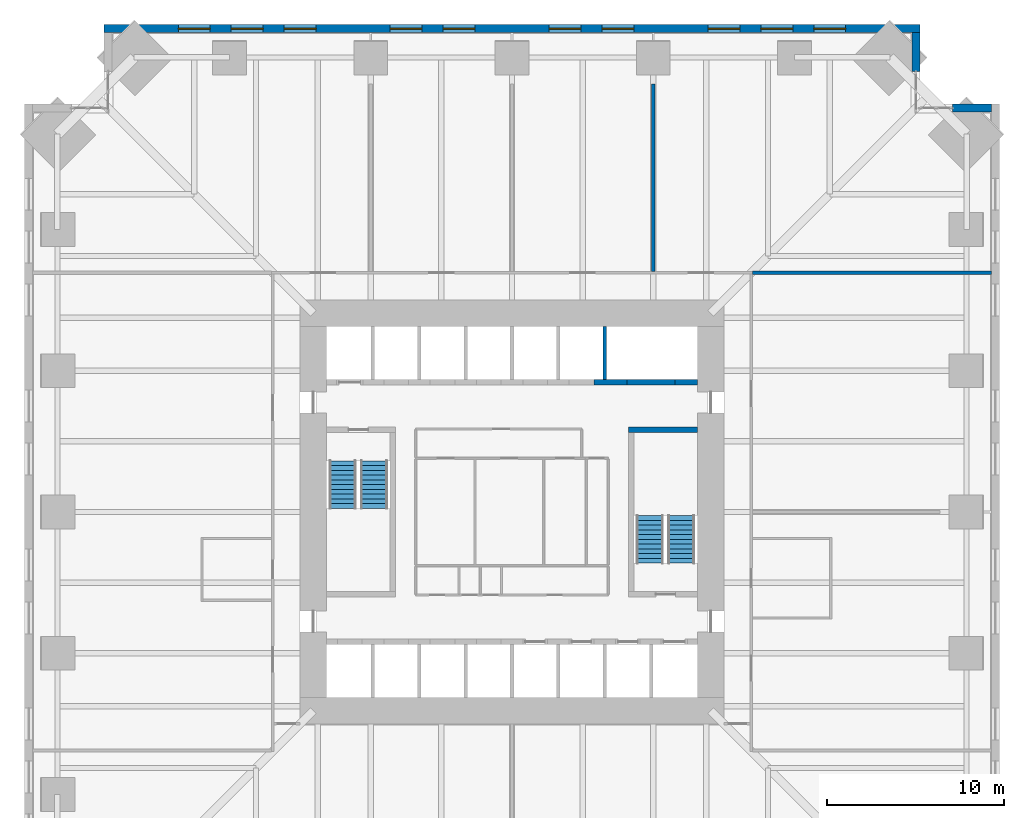
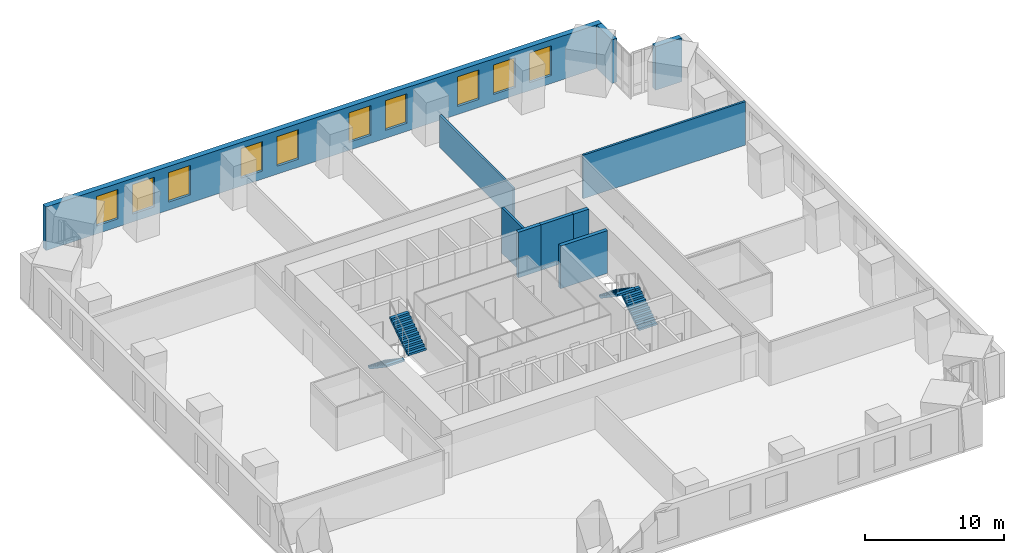
# One storey, part 15 of 16: 10 walls, 10 windows, 4 stair flights, 10 openings, 2 elements without a shape of their own.
"""IFC4 building model written with IfcOpenShell, lengths in metres."""

from ifc_helpers import new_model, si_unit, direction, frame, frame_2d, origin, place, context, subcontext, project, spatial, polyline, rectangle, outline, extrude, material, layer, layer_set, type_object, element, fill, aggregate, save


model = new_model("IFC4")

# Units and contexts
model_context = context("Model", 3, precision=1e-05, world=origin(), true_north=direction((0.0, 1.0)))
body_context = subcontext(model_context, "Body", "Model", "MODEL_VIEW")
ifc_project = project(units=[si_unit("LENGTHUNIT", "METRE"), si_unit("AREAUNIT", "SQUARE_METRE"), si_unit("VOLUMEUNIT", "CUBIC_METRE"), si_unit("PLANEANGLEUNIT", "RADIAN"), si_unit("MASSUNIT", "GRAM", prefix="KILO")], contexts=[model_context])

# Site, building, storey
site_placement = place(None, origin())
site = spatial("IfcSite", under=ifc_project, at=site_placement, CompositionType="ELEMENT")
building_placement = place(site_placement, origin())
building = spatial("IfcBuilding", under=site, at=building_placement, Name="Peilmerk Tower", CompositionType="ELEMENT")
storey_placement = place(building_placement, frame((0.0, 0.0, 127.800048828125)))
storey = spatial("IfcBuildingStorey", under=building, at=storey_placement, Name="L25", CompositionType="ELEMENT", Elevation=127.800048828125)

# Wall, openings, windows
ifc_material_1 = material(Name="Precast concrete C45/55, board-marked finish", Category="concrete")
ifc_layer_1 = layer(ifc_material_1, 0.449951171875)
ifc_layer_set_1 = layer_set([ifc_layer_1], Name="Precast concrete C45/55, board-marked finish")
wall_type_1 = type_object("IfcWallType", Name="EW1 450 precast concrete facade wall, board-marked", PredefinedType="SOLIDWALL", material=ifc_layer_set_1)
wall_1_placement = place(storey_placement, frame((23.10009765625, 27.375, 0.0), z_axis=(0.0, 0.0, 1.0), x_axis=(-1.0, 0.0, 0.0)))
wall_1 = element("IfcWall", 1, at=wall_1_placement, inside=storey, type_object=wall_type_1, Name="Facade wall N L25", PredefinedType="SOLIDWALL", context=body_context, shape_type="SweptSolid", body=[
    extrude(rectangle(XDim=46.2001953125, YDim=0.449951171875, at=frame_2d((23.10009765625, 0.0))), origin(), (0.0, 0.0, 1.0), 3.829833984375),
])
opening_1_placement = place(wall_1_placement, frame((4.199951171875, 0.0, 0.699951171875)))
opening_1 = element("IfcOpeningElement", 2, at=opening_1_placement, cuts=wall_1, Name="Opening W1", PredefinedType="OPENING", context=body_context, shape_type="SweptSolid", body=[
    extrude(rectangle(XDim=1.800048828125, YDim=2.60009765625, at=frame_2d((0.89990234375, 1.300048828125))), frame((0.0, 0.23486328125, 0.0), z_axis=(0.0, -1.0, 0.0), x_axis=(1.0, 0.0, 0.0)), (0.0, 0.0, 1.0), 0.469970703125),
])
opening_2_placement = place(wall_1_placement, frame((7.199951171875, 0.0, 0.699951171875)))
opening_2 = element("IfcOpeningElement", 3, at=opening_2_placement, cuts=wall_1, Name="Opening W1", PredefinedType="OPENING", context=body_context, shape_type="SweptSolid", body=[
    extrude(rectangle(XDim=1.800048828125, YDim=2.60009765625, at=frame_2d((0.89990234375, 1.300048828125))), frame((0.0, 0.23486328125, 0.0), z_axis=(0.0, -1.0, 0.0), x_axis=(1.0, 0.0, 0.0)), (0.0, 0.0, 1.0), 0.469970703125),
])
opening_3_placement = place(wall_1_placement, frame((10.199951171875, 0.0, 0.699951171875)))
opening_3 = element("IfcOpeningElement", 4, at=opening_3_placement, cuts=wall_1, Name="Opening W1", PredefinedType="OPENING", context=body_context, shape_type="SweptSolid", body=[
    extrude(rectangle(XDim=1.800048828125, YDim=2.60009765625, at=frame_2d((0.89990234375, 1.300048828125))), frame((0.0, 0.23486328125, 0.0), z_axis=(0.0, -1.0, 0.0), x_axis=(1.0, 0.0, 0.0)), (0.0, 0.0, 1.0), 0.469970703125),
])
opening_4_placement = place(wall_1_placement, frame((16.199951171875, 0.0, 0.699951171875)))
opening_4 = element("IfcOpeningElement", 5, at=opening_4_placement, cuts=wall_1, Name="Opening W1", PredefinedType="OPENING", context=body_context, shape_type="SweptSolid", body=[
    extrude(rectangle(XDim=1.800048828125, YDim=2.60009765625, at=frame_2d((0.89990234375, 1.300048828125))), frame((0.0, 0.23486328125, 0.0), z_axis=(0.0, -1.0, 0.0), x_axis=(1.0, 0.0, 0.0)), (0.0, 0.0, 1.0), 0.469970703125),
])
opening_5_placement = place(wall_1_placement, frame((19.199951171875, 0.0, 0.699951171875)))
opening_5 = element("IfcOpeningElement", 6, at=opening_5_placement, cuts=wall_1, Name="Opening W1", PredefinedType="OPENING", context=body_context, shape_type="SweptSolid", body=[
    extrude(rectangle(XDim=1.800048828125, YDim=2.60009765625, at=frame_2d((0.89990234375, 1.300048828125))), frame((0.0, 0.23486328125, 0.0), z_axis=(0.0, -1.0, 0.0), x_axis=(1.0, 0.0, 0.0)), (0.0, 0.0, 1.0), 0.469970703125),
])
opening_6_placement = place(wall_1_placement, frame((25.199951171875, 0.0, 0.699951171875)))
opening_6 = element("IfcOpeningElement", 7, at=opening_6_placement, cuts=wall_1, Name="Opening W1", PredefinedType="OPENING", context=body_context, shape_type="SweptSolid", body=[
    extrude(rectangle(XDim=1.800048828125, YDim=2.60009765625, at=frame_2d((0.89990234375, 1.300048828125))), frame((0.0, 0.23486328125, 0.0), z_axis=(0.0, -1.0, 0.0), x_axis=(1.0, 0.0, 0.0)), (0.0, 0.0, 1.0), 0.469970703125),
])
opening_7_placement = place(wall_1_placement, frame((28.199951171875, 0.0, 0.699951171875)))
opening_7 = element("IfcOpeningElement", 8, at=opening_7_placement, cuts=wall_1, Name="Opening W1", PredefinedType="OPENING", context=body_context, shape_type="SweptSolid", body=[
    extrude(rectangle(XDim=1.800048828125, YDim=2.60009765625, at=frame_2d((0.89990234375, 1.300048828125))), frame((0.0, 0.23486328125, 0.0), z_axis=(0.0, -1.0, 0.0), x_axis=(1.0, 0.0, 0.0)), (0.0, 0.0, 1.0), 0.469970703125),
])
opening_8_placement = place(wall_1_placement, frame((34.199951171875, 0.0, 0.699951171875)))
opening_8 = element("IfcOpeningElement", 9, at=opening_8_placement, cuts=wall_1, Name="Opening W1", PredefinedType="OPENING", context=body_context, shape_type="SweptSolid", body=[
    extrude(rectangle(XDim=1.800048828125, YDim=2.60009765625, at=frame_2d((0.89990234375, 1.300048828125))), frame((0.0, 0.23486328125, 0.0), z_axis=(0.0, -1.0, 0.0), x_axis=(1.0, 0.0, 0.0)), (0.0, 0.0, 1.0), 0.469970703125),
])
opening_9_placement = place(wall_1_placement, frame((37.199951171875, 0.0, 0.699951171875)))
opening_9 = element("IfcOpeningElement", 10, at=opening_9_placement, cuts=wall_1, Name="Opening W1", PredefinedType="OPENING", context=body_context, shape_type="SweptSolid", body=[
    extrude(rectangle(XDim=1.800048828125, YDim=2.60009765625, at=frame_2d((0.89990234375, 1.300048828125))), frame((0.0, 0.23486328125, 0.0), z_axis=(0.0, -1.0, 0.0), x_axis=(1.0, 0.0, 0.0)), (0.0, 0.0, 1.0), 0.469970703125),
])
opening_10_placement = place(wall_1_placement, frame((40.199951171875, 0.0, 0.699951171875)))
opening_10 = element("IfcOpeningElement", 11, at=opening_10_placement, cuts=wall_1, Name="Opening W1", PredefinedType="OPENING", context=body_context, shape_type="SweptSolid", body=[
    extrude(rectangle(XDim=1.800048828125, YDim=2.60009765625, at=frame_2d((0.89990234375, 1.300048828125))), frame((0.0, 0.23486328125, 0.0), z_axis=(0.0, -1.0, 0.0), x_axis=(1.0, 0.0, 0.0)), (0.0, 0.0, 1.0), 0.469970703125),
])
ifc_material_2 = material(Name="Aluminium frame, clear double glazing", Category="aluminium")
window_type = type_object("IfcWindowType", Name="W1 1800x2600 office window", PartitioningType="SINGLE_PANEL", PredefinedType="WINDOW", material=ifc_material_2)
window_1_placement = place(opening_1_placement, origin())
window_1 = element("IfcWindow", 12, at=window_1_placement, inside=storey, type_object=window_type, Name="Window W1 L25", OverallHeight=2.60009765625, OverallWidth=1.800048828125, PartitioningType="SINGLE_PANEL", PredefinedType="WINDOW", context=body_context, shape_type="SweptSolid", body=[
    extrude(rectangle(XDim=1.800048828125, YDim=2.60009765625, at=frame_2d((0.89990234375, 1.300048828125))), frame((0.0, 0.030029296875, 0.0), z_axis=(0.0, -1.0, 0.0), x_axis=(1.0, 0.0, 0.0)), (0.0, 0.0, 1.0), 0.06005859375),
])
fill(opening_1, window_1)
window_2_placement = place(opening_2_placement, origin())
window_2 = element("IfcWindow", 13, at=window_2_placement, inside=storey, type_object=window_type, Name="Window W1 L25", OverallHeight=2.60009765625, OverallWidth=1.800048828125, PartitioningType="SINGLE_PANEL", PredefinedType="WINDOW", context=body_context, shape_type="SweptSolid", body=[
    extrude(rectangle(XDim=1.800048828125, YDim=2.60009765625, at=frame_2d((0.89990234375, 1.300048828125))), frame((0.0, 0.030029296875, 0.0), z_axis=(0.0, -1.0, 0.0), x_axis=(1.0, 0.0, 0.0)), (0.0, 0.0, 1.0), 0.06005859375),
])
fill(opening_2, window_2)
window_3_placement = place(opening_3_placement, origin())
window_3 = element("IfcWindow", 14, at=window_3_placement, inside=storey, type_object=window_type, Name="Window W1 L25", OverallHeight=2.60009765625, OverallWidth=1.800048828125, PartitioningType="SINGLE_PANEL", PredefinedType="WINDOW", context=body_context, shape_type="SweptSolid", body=[
    extrude(rectangle(XDim=1.800048828125, YDim=2.60009765625, at=frame_2d((0.89990234375, 1.300048828125))), frame((0.0, 0.030029296875, 0.0), z_axis=(0.0, -1.0, 0.0), x_axis=(1.0, 0.0, 0.0)), (0.0, 0.0, 1.0), 0.06005859375),
])
fill(opening_3, window_3)
window_4_placement = place(opening_4_placement, origin())
window_4 = element("IfcWindow", 15, at=window_4_placement, inside=storey, type_object=window_type, Name="Window W1 L25", OverallHeight=2.60009765625, OverallWidth=1.800048828125, PartitioningType="SINGLE_PANEL", PredefinedType="WINDOW", context=body_context, shape_type="SweptSolid", body=[
    extrude(rectangle(XDim=1.800048828125, YDim=2.60009765625, at=frame_2d((0.89990234375, 1.300048828125))), frame((0.0, 0.030029296875, 0.0), z_axis=(0.0, -1.0, 0.0), x_axis=(1.0, 0.0, 0.0)), (0.0, 0.0, 1.0), 0.06005859375),
])
fill(opening_4, window_4)
window_5_placement = place(opening_5_placement, origin())
window_5 = element("IfcWindow", 16, at=window_5_placement, inside=storey, type_object=window_type, Name="Window W1 L25", OverallHeight=2.60009765625, OverallWidth=1.800048828125, PartitioningType="SINGLE_PANEL", PredefinedType="WINDOW", context=body_context, shape_type="SweptSolid", body=[
    extrude(rectangle(XDim=1.800048828125, YDim=2.60009765625, at=frame_2d((0.89990234375, 1.300048828125))), frame((0.0, 0.030029296875, 0.0), z_axis=(0.0, -1.0, 0.0), x_axis=(1.0, 0.0, 0.0)), (0.0, 0.0, 1.0), 0.06005859375),
])
fill(opening_5, window_5)
window_6_placement = place(opening_6_placement, origin())
window_6 = element("IfcWindow", 17, at=window_6_placement, inside=storey, type_object=window_type, Name="Window W1 L25", OverallHeight=2.60009765625, OverallWidth=1.800048828125, PartitioningType="SINGLE_PANEL", PredefinedType="WINDOW", context=body_context, shape_type="SweptSolid", body=[
    extrude(rectangle(XDim=1.800048828125, YDim=2.60009765625, at=frame_2d((0.89990234375, 1.300048828125))), frame((0.0, 0.030029296875, 0.0), z_axis=(0.0, -1.0, 0.0), x_axis=(1.0, 0.0, 0.0)), (0.0, 0.0, 1.0), 0.06005859375),
])
fill(opening_6, window_6)
window_7_placement = place(opening_7_placement, origin())
window_7 = element("IfcWindow", 18, at=window_7_placement, inside=storey, type_object=window_type, Name="Window W1 L25", OverallHeight=2.60009765625, OverallWidth=1.800048828125, PartitioningType="SINGLE_PANEL", PredefinedType="WINDOW", context=body_context, shape_type="SweptSolid", body=[
    extrude(rectangle(XDim=1.800048828125, YDim=2.60009765625, at=frame_2d((0.89990234375, 1.300048828125))), frame((0.0, 0.030029296875, 0.0), z_axis=(0.0, -1.0, 0.0), x_axis=(1.0, 0.0, 0.0)), (0.0, 0.0, 1.0), 0.06005859375),
])
fill(opening_7, window_7)
window_8_placement = place(opening_8_placement, origin())
window_8 = element("IfcWindow", 19, at=window_8_placement, inside=storey, type_object=window_type, Name="Window W1 L25", OverallHeight=2.60009765625, OverallWidth=1.800048828125, PartitioningType="SINGLE_PANEL", PredefinedType="WINDOW", context=body_context, shape_type="SweptSolid", body=[
    extrude(rectangle(XDim=1.800048828125, YDim=2.60009765625, at=frame_2d((0.89990234375, 1.300048828125))), frame((0.0, 0.030029296875, 0.0), z_axis=(0.0, -1.0, 0.0), x_axis=(1.0, 0.0, 0.0)), (0.0, 0.0, 1.0), 0.06005859375),
])
fill(opening_8, window_8)
window_9_placement = place(opening_9_placement, origin())
window_9 = element("IfcWindow", 20, at=window_9_placement, inside=storey, type_object=window_type, Name="Window W1 L25", OverallHeight=2.60009765625, OverallWidth=1.800048828125, PartitioningType="SINGLE_PANEL", PredefinedType="WINDOW", context=body_context, shape_type="SweptSolid", body=[
    extrude(rectangle(XDim=1.800048828125, YDim=2.60009765625, at=frame_2d((0.89990234375, 1.300048828125))), frame((0.0, 0.030029296875, 0.0), z_axis=(0.0, -1.0, 0.0), x_axis=(1.0, 0.0, 0.0)), (0.0, 0.0, 1.0), 0.06005859375),
])
fill(opening_9, window_9)
window_10_placement = place(opening_10_placement, origin())
window_10 = element("IfcWindow", 21, at=window_10_placement, inside=storey, type_object=window_type, Name="Window W1 L25", OverallHeight=2.60009765625, OverallWidth=1.800048828125, PartitioningType="SINGLE_PANEL", PredefinedType="WINDOW", context=body_context, shape_type="SweptSolid", body=[
    extrude(rectangle(XDim=1.800048828125, YDim=2.60009765625, at=frame_2d((0.89990234375, 1.300048828125))), frame((0.0, 0.030029296875, 0.0), z_axis=(0.0, -1.0, 0.0), x_axis=(1.0, 0.0, 0.0)), (0.0, 0.0, 1.0), 0.06005859375),
])
fill(opening_10, window_10)

# Walls
for number, where, z_axis, x_axis, name in (
    (22, (22.875, 24.95361328125, 0.0), (0.0, 0.0, 1.0), (0.0, 1.0, 0.0), "Facade wall NEA L25"),
    (23, (24.95361328125, 22.875, 0.0), (0.0, 0.0, 1.0), (1.0, 0.0, 0.0), "Facade wall NEB L25"),
):
    element("IfcWall", number, at=place(storey_placement, frame(where, z_axis=z_axis, x_axis=x_axis)), inside=storey, type_object=wall_type_1, Name=name, PredefinedType="SOLIDWALL", context=body_context, shape_type="SweptSolid", body=[
        extrude(rectangle(XDim=2.1962890625, YDim=0.449951171875, at=frame_2d((1.09814453125, 0.0))), origin(), (0.0, 0.0, 1.0), 3.829833984375),
    ])
ifc_material_3 = material(Name="Concrete C35/45", Category="concrete")
ifc_layer_2 = layer(ifc_material_3, 0.300048828125)
ifc_layer_set_2 = layer_set([ifc_layer_2], Name="Concrete C35/45")
wall_type_2 = type_object("IfcWallType", Name="IW3 300 concrete stair enclosure wall, EI 120", PredefinedType="SOLIDWALL", material=ifc_layer_set_2)
wall_2_placement = place(storey_placement, frame((6.60009765625, 4.64990234375, 0.0), z_axis=(0.0, 0.0, 1.0), x_axis=(1.0, 0.0, 0.0)))
element("IfcWall", 24, at=wall_2_placement, inside=storey, type_object=wall_type_2, Name="Stair 2 enclosure L25", PredefinedType="SOLIDWALL", context=body_context, shape_type="SweptSolid", body=[
    extrude(rectangle(XDim=3.89990234375, YDim=0.300048828125, at=frame_2d((1.949951171875, 0.0))), origin(), (0.0, 0.0, 1.0), 3.75),
])
ifc_material_4 = material(Name="Calcium silicate block", Category="masonry")
ifc_layer_3 = layer(ifc_material_4, 0.175048828125)
ifc_layer_set_3 = layer_set([ifc_layer_3], Name="Calcium silicate block")
wall_type_3 = type_object("IfcWallType", Name="IW8 175 tenant separating wall, EI 60", PredefinedType="PARTITIONING", material=ifc_layer_set_3)
wall_3_placement = place(storey_placement, frame((13.625, 13.550048828125, 0.0), z_axis=(0.0, 0.0, 1.0), x_axis=(1.0, 0.0, 0.0)))
element("IfcWall", 25, at=wall_3_placement, inside=storey, type_object=wall_type_3, Name="Tenant separating wall NE L25", PredefinedType="PARTITIONING", context=body_context, shape_type="SweptSolid", body=[
    extrude(rectangle(XDim=13.52490234375, YDim=0.175048828125, at=frame_2d((6.762451171875, 0.0))), origin(), (0.0, 0.0, 1.0), 3.829833984375),
])
wall_4_placement = place(storey_placement, frame((8.0, 13.625, 0.0), z_axis=(0.0, 0.0, 1.0), x_axis=(0.0, 1.0, 0.0)))
element("IfcWall", 26, at=wall_4_placement, inside=storey, type_object=wall_type_3, Name="Tenant separating wall N3 L25", PredefinedType="PARTITIONING", context=body_context, shape_type="SweptSolid", body=[
    extrude(rectangle(XDim=10.61376953125, YDim=0.175048828125, at=frame_2d((5.306884765625, 0.0))), origin(), (0.0, 0.0, 1.0), 2.822021484375),
])
ifc_layer_4 = layer(ifc_material_4, 0.199951171875)
ifc_layer_set_4 = layer_set([ifc_layer_4], Name="Calcium silicate block")
wall_type_4 = type_object("IfcWallType", Name="SH1 200 shaft dividing wall, EI 120", PredefinedType="PARTITIONING", material=ifc_layer_set_4)
wall_5_placement = place(storey_placement, frame((5.25, 7.5, 0.0), z_axis=(0.0, 0.0, 1.0), x_axis=(0.0, 1.0, 0.0)))
element("IfcWall", 27, at=wall_5_placement, inside=storey, type_object=wall_type_4, Name="Shaft wall N S2 L25", PredefinedType="PARTITIONING", context=body_context, shape_type="SweptSolid", body=[
    extrude(rectangle(XDim=3.0, YDim=0.199951171875, at=frame_2d((1.5, 0.0))), origin(), (0.0, 0.0, 1.0), 4.0),
])
ifc_layer_5 = layer(ifc_material_4, 0.300048828125)
ifc_layer_set_5 = layer_set([ifc_layer_5], Name="Calcium silicate block")
wall_type_5 = type_object("IfcWallType", Name="SH2 300 lift landing door panel, EI 120", PredefinedType="PARTITIONING", material=ifc_layer_set_5)
wall_6_placement = place(storey_placement, frame((6.52490234375, 7.35009765625, 0.0), z_axis=(0.0, 0.0, 1.0), x_axis=(1.0, 0.0, 0.0)))
element("IfcWall", 28, at=wall_6_placement, inside=storey, type_object=wall_type_5, Name="Lift door panel N GL1 L25", PredefinedType="PARTITIONING", context=body_context, shape_type="SweptSolid", body=[
    extrude(rectangle(XDim=2.7001953125, YDim=0.300048828125, at=frame_2d((1.35009765625, 0.0))), origin(), (0.0, 0.0, 1.0), 4.0),
])
ifc_material_5 = material(Name="Concrete C55/67", Category="concrete")
ifc_layer_6 = layer(ifc_material_5, 0.300048828125)
ifc_layer_set_6 = layer_set([ifc_layer_6], Name="Concrete C55/67")
wall_type_6 = type_object("IfcWallType", Name="SW2 300 lift bank pier", PredefinedType="SHEAR", material=ifc_layer_set_6)
wall_7_placement = place(storey_placement, frame((4.637451171875, 7.35009765625, 0.0), z_axis=(0.0, 0.0, 1.0), x_axis=(1.0, 0.0, 0.0)))
element("IfcWall", 29, at=wall_7_placement, inside=storey, type_object=wall_type_6, Name="Lift bank pier N L25", PredefinedType="SHEAR", context=body_context, shape_type="SweptSolid", body=[
    extrude(rectangle(XDim=1.887451171875, YDim=0.300048828125, at=frame_2d((0.94384765625, 0.0))), origin(), (0.0, 0.0, 1.0), 4.0),
])
wall_8_placement = place(storey_placement, frame((9.22509765625, 7.35009765625, 0.0), z_axis=(0.0, 0.0, 1.0), x_axis=(1.0, 0.0, 0.0)))
element("IfcWall", 30, at=wall_8_placement, inside=storey, type_object=wall_type_6, Name="Lift bank pier N L25", PredefinedType="SHEAR", context=body_context, shape_type="SweptSolid", body=[
    extrude(rectangle(XDim=1.27490234375, YDim=0.300048828125, at=frame_2d((0.637451171875, 0.0))), origin(), (0.0, 0.0, 1.0), 4.0),
])

# Stair, stair flights
ifc_material_6 = material(Name="Precast concrete C45/55", Category="concrete")
stair_type_1 = type_object("IfcStairType", Name="ST1 22 risers of 181.8", PredefinedType="HALF_TURN_STAIR", material=ifc_material_6)
stair_1_placement = place(storey_placement, origin())
stair_1 = element("IfcStair", 31, at=stair_1_placement, inside=storey, type_object=stair_type_1, Name="Stair 1 L25 to L26", PredefinedType="HALF_TURN_STAIR")
stair_flight_type = type_object("IfcStairFlightType", Name="SF11 flight, 11 risers of 181.8", PredefinedType="STRAIGHT", material=ifc_material_6)
stair_flight_1_placement = place(storey_placement, frame((-9.60009765625, 2.89990234375, 0.0), z_axis=(0.0, 0.0, 1.0), x_axis=(0.0, -1.0, 0.0)))
stair_flight_1 = element("IfcStairFlight", 32, at=stair_flight_1_placement, type_object=stair_flight_type, Name="ST1 flight 1", NumberOfRisers=11, NumberOfTreads=10, PredefinedType="STRAIGHT", RiserHeight=0.181818182, TreadLength=0.27, context=body_context, shape_type="SweptSolid", body=[
    extrude(outline(polyline([(0.0, 0.0), (0.0, 0.181884765625), (0.27001953125, 0.181884765625), (0.27001953125, 0.363525390625), (0.5400390625, 0.363525390625), (0.5400390625, 0.54541015625), (0.81005859375, 0.54541015625), (0.81005859375, 0.727294921875), (1.080078125, 0.727294921875), (1.080078125, 0.9091796875), (1.35009765625, 0.9091796875), (1.35009765625, 1.0908203125), (1.6201171875, 1.0908203125), (1.6201171875, 1.272705078125), (1.889892578125, 1.272705078125), (1.889892578125, 1.45458984375), (2.159912109375, 1.45458984375), (2.159912109375, 1.636474609375), (2.429931640625, 1.636474609375), (2.429931640625, 1.818115234375), (2.699951171875, 1.818115234375), (2.699951171875, 2.0), (2.699951171875, 1.637451171875), (0.268310546875, 0.0), (0.0, 0.0)])), frame((0.0, 0.75, 0.0), z_axis=(0.0, -1.0, 0.0), x_axis=(1.0, 0.0, 0.0)), (0.0, 0.0, 1.0), 1.5),
])
stair_flight_2_placement = place(storey_placement, frame((-7.800048828125, 0.199951171875, 2.0), z_axis=(0.0, 0.0, 1.0), x_axis=(0.0, 1.0, 0.0)))
stair_flight_2 = element("IfcStairFlight", 33, at=stair_flight_2_placement, type_object=stair_flight_type, Name="ST1 flight 2", NumberOfRisers=11, NumberOfTreads=10, PredefinedType="STRAIGHT", RiserHeight=0.181818182, TreadLength=0.27, context=body_context, shape_type="SweptSolid", body=[
    extrude(outline(polyline([(0.0, 0.0), (0.0, 0.181884765625), (0.27001953125, 0.181884765625), (0.27001953125, 0.363525390625), (0.5400390625, 0.363525390625), (0.5400390625, 0.54541015625), (0.81005859375, 0.54541015625), (0.81005859375, 0.727294921875), (1.080078125, 0.727294921875), (1.080078125, 0.9091796875), (1.35009765625, 0.9091796875), (1.35009765625, 1.0908203125), (1.6201171875, 1.0908203125), (1.6201171875, 1.272705078125), (1.889892578125, 1.272705078125), (1.889892578125, 1.45458984375), (2.159912109375, 1.45458984375), (2.159912109375, 1.636474609375), (2.429931640625, 1.636474609375), (2.429931640625, 1.818115234375), (2.699951171875, 1.818115234375), (2.699951171875, 2.0), (2.699951171875, 1.637451171875), (0.268310546875, 0.0), (0.0, 0.0)])), frame((0.0, 0.75, 0.0), z_axis=(0.0, -1.0, 0.0), x_axis=(1.0, 0.0, 0.0)), (0.0, 0.0, 1.0), 1.5),
])
aggregate(stair_1, [stair_flight_1, stair_flight_2])

stair_type_2 = type_object("IfcStairType", Name="ST2 22 risers of 181.8", PredefinedType="HALF_TURN_STAIR", material=ifc_material_6)
stair_2_placement = place(storey_placement, origin())
stair_2 = element("IfcStair", 34, at=stair_2_placement, inside=storey, type_object=stair_type_2, Name="Stair 2 L25 to L26", PredefinedType="HALF_TURN_STAIR")
stair_flight_3_placement = place(storey_placement, frame((9.60009765625, -2.89990234375, 0.0), z_axis=(0.0, 0.0, 1.0), x_axis=(0.0, 1.0, 0.0)))
stair_flight_3 = element("IfcStairFlight", 35, at=stair_flight_3_placement, type_object=stair_flight_type, Name="ST2 flight 1", NumberOfRisers=11, NumberOfTreads=10, PredefinedType="STRAIGHT", RiserHeight=0.181818182, TreadLength=0.27, context=body_context, shape_type="SweptSolid", body=[
    extrude(outline(polyline([(0.0, 0.0), (0.0, 0.181884765625), (0.27001953125, 0.181884765625), (0.27001953125, 0.363525390625), (0.5400390625, 0.363525390625), (0.5400390625, 0.54541015625), (0.81005859375, 0.54541015625), (0.81005859375, 0.727294921875), (1.080078125, 0.727294921875), (1.080078125, 0.9091796875), (1.35009765625, 0.9091796875), (1.35009765625, 1.0908203125), (1.6201171875, 1.0908203125), (1.6201171875, 1.272705078125), (1.889892578125, 1.272705078125), (1.889892578125, 1.45458984375), (2.159912109375, 1.45458984375), (2.159912109375, 1.636474609375), (2.429931640625, 1.636474609375), (2.429931640625, 1.818115234375), (2.699951171875, 1.818115234375), (2.699951171875, 2.0), (2.699951171875, 1.637451171875), (0.268310546875, 0.0), (0.0, 0.0)])), frame((0.0, 0.75, 0.0), z_axis=(0.0, -1.0, 0.0), x_axis=(1.0, 0.0, 0.0)), (0.0, 0.0, 1.0), 1.5),
])
stair_flight_4_placement = place(storey_placement, frame((7.800048828125, -0.199951171875, 2.0), z_axis=(0.0, 0.0, 1.0), x_axis=(0.0, -1.0, 0.0)))
stair_flight_4 = element("IfcStairFlight", 36, at=stair_flight_4_placement, type_object=stair_flight_type, Name="ST2 flight 2", NumberOfRisers=11, NumberOfTreads=10, PredefinedType="STRAIGHT", RiserHeight=0.181818182, TreadLength=0.27, context=body_context, shape_type="SweptSolid", body=[
    extrude(outline(polyline([(0.0, 0.0), (0.0, 0.181884765625), (0.27001953125, 0.181884765625), (0.27001953125, 0.363525390625), (0.5400390625, 0.363525390625), (0.5400390625, 0.54541015625), (0.81005859375, 0.54541015625), (0.81005859375, 0.727294921875), (1.080078125, 0.727294921875), (1.080078125, 0.9091796875), (1.35009765625, 0.9091796875), (1.35009765625, 1.0908203125), (1.6201171875, 1.0908203125), (1.6201171875, 1.272705078125), (1.889892578125, 1.272705078125), (1.889892578125, 1.45458984375), (2.159912109375, 1.45458984375), (2.159912109375, 1.636474609375), (2.429931640625, 1.636474609375), (2.429931640625, 1.818115234375), (2.699951171875, 1.818115234375), (2.699951171875, 2.0), (2.699951171875, 1.637451171875), (0.268310546875, 0.0), (0.0, 0.0)])), frame((0.0, 0.75, 0.0), z_axis=(0.0, -1.0, 0.0), x_axis=(1.0, 0.0, 0.0)), (0.0, 0.0, 1.0), 1.5),
])
aggregate(stair_2, [stair_flight_3, stair_flight_4])

save(model, "model.ifc")
